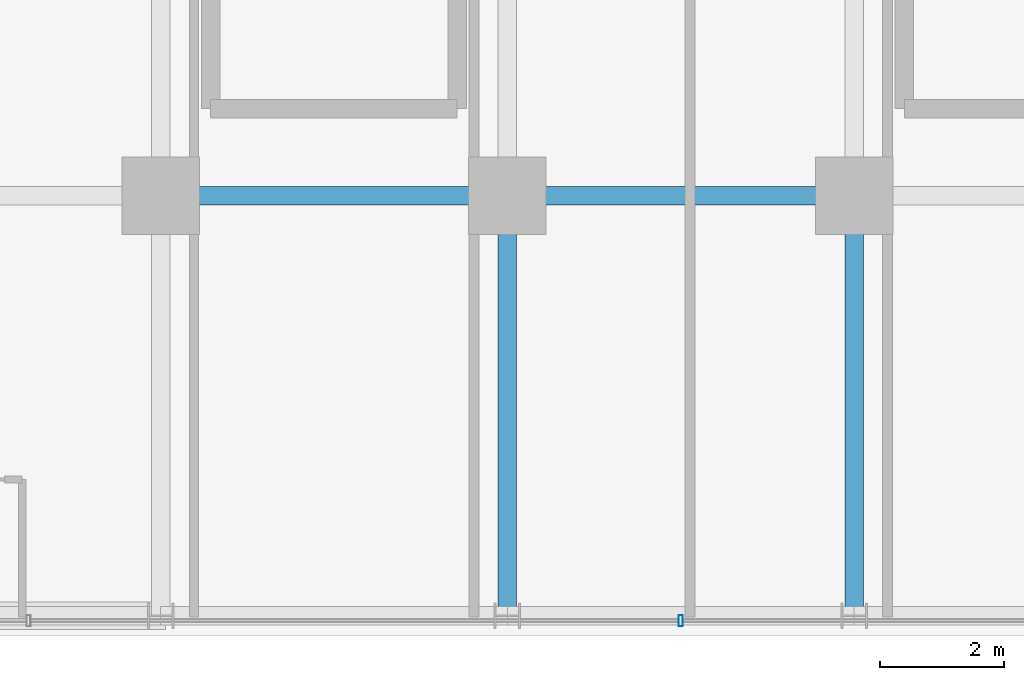
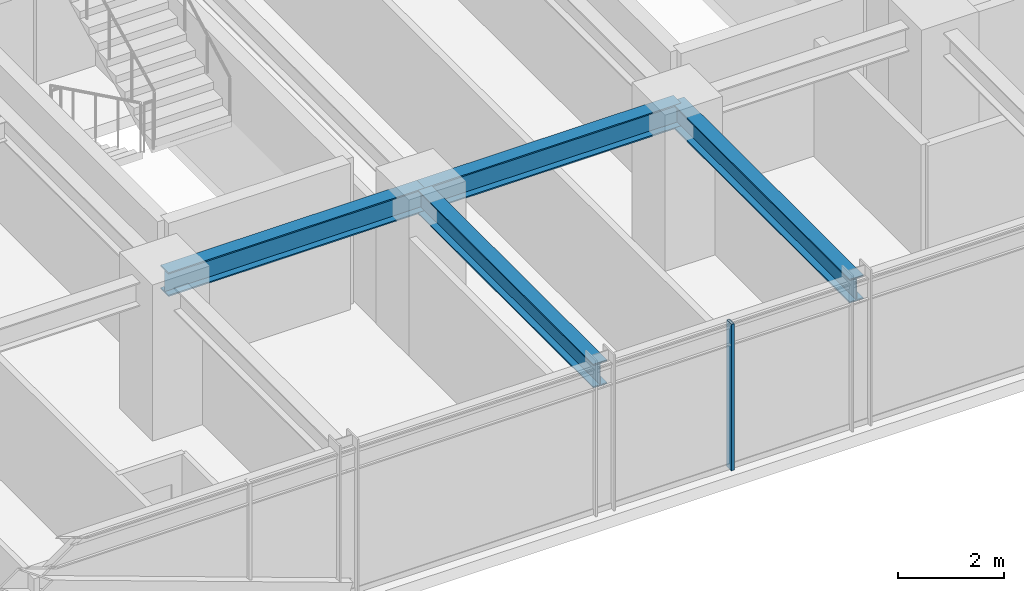
# One storey, part 6 of 41: 4 beams, 1 member, 1 element without a shape of its own.
"""IFC4 building model written with IfcOpenShell, lengths in metres."""

from ifc_helpers import new_model, si_unit, direction, frame, origin, origin_2d, place, context, subcontext, project, spatial, hollow_rectangle, i_section, extrude, source, transform, mapped, material, material_profile, profile_set, type_object, element, aggregate, save


model = new_model("IFC4")

# Units and contexts
model_context = context("Model", 3, precision=1e-05, world=origin(), true_north=direction((0.0, 1.0)))
body_context = subcontext(model_context, "Body", "Model", "MODEL_VIEW")
ifc_project = project(units=[si_unit("LENGTHUNIT", "METRE"), si_unit("AREAUNIT", "SQUARE_METRE"), si_unit("VOLUMEUNIT", "CUBIC_METRE"), si_unit("PLANEANGLEUNIT", "RADIAN"), si_unit("MASSUNIT", "GRAM", prefix="KILO")], contexts=[model_context])

# Site, building, storey
site_placement = place(None, origin())
site = spatial("IfcSite", under=ifc_project, at=site_placement, CompositionType="ELEMENT")
building_placement = place(site_placement, origin())
building = spatial("IfcBuilding", under=site, at=building_placement, Name="Nahalor Promenade Grand Hotel", CompositionType="ELEMENT")
storey_placement = place(building_placement, frame((0.0, 0.0, 113.85009765625)))
storey = spatial("IfcBuildingStorey", under=building, at=storey_placement, Name="L28", CompositionType="ELEMENT", Elevation=113.85009765625)

# Beams
ifc_material_1 = material(Name="Steel S355JR", Category="steel")
ifc_material_profile_1 = material_profile(ifc_material_1, i_section(OverallWidth=0.3, OverallDepth=0.55, WebThickness=0.015, FlangeThickness=0.029, at=origin_2d()), Name="HEB 550")
ifc_profile_set_1 = profile_set([ifc_material_profile_1], Name="Steel S355JR")
beam_type = type_object("IfcBeamType", Name="Beam-Girder-HEB550", PredefinedType="BEAM", material=ifc_profile_set_1)
shared_shape_1 = source(origin(), body_context, "Body", "SweptSolid", [
    extrude(i_section(OverallWidth=0.3, OverallDepth=0.55, WebThickness=0.015, FlangeThickness=0.029, at=origin_2d()), origin(), (0.0, 0.0, 1.0), 6.780029296875),
])
for number, where, z_axis, x_axis, name in (
    (1, (-2.800048828125, -23.780029296875, 3.10498046875), (0.0, 1.0, 0.0), (-1.0, 0.0, 0.0), "BM-L28-GY-2-0"),
    (2, (2.800048828125, -23.780029296875, 3.10498046875), (0.0, 1.0, 0.0), (-1.0, 0.0, 0.0), "BM-L28-GY-3-0"),
):
    element("IfcBeam", number, at=place(storey_placement, frame(where, z_axis=z_axis, x_axis=x_axis)), inside=storey, type_object=beam_type, Name=name, PredefinedType="BEAM", context=body_context, shape_type="MappedRepresentation", body=[
        mapped(shared_shape_1, transform((0.0, 0.0, 0.0), scale=1.0)),
    ])
shared_shape_2 = source(origin(), body_context, "Body", "SweptSolid", [
    extrude(i_section(OverallWidth=0.3, OverallDepth=0.55, WebThickness=0.015, FlangeThickness=0.029, at=origin_2d()), origin(), (0.0, 0.0, 1.0), 5.599853515625),
])
beam_1_placement = place(storey_placement, frame((-8.39990234375, -17.0, 3.10498046875), z_axis=(1.0, 0.0, 0.0), x_axis=(0.0, 1.0, 0.0)))
element("IfcBeam", 3, at=beam_1_placement, inside=storey, type_object=beam_type, Name="BM-L28-GX-0-2", PredefinedType="BEAM", context=body_context, shape_type="MappedRepresentation", body=[
    mapped(shared_shape_2, transform((0.0, 0.0, 0.0), scale=1.0)),
])
shared_shape_3 = source(origin(), body_context, "Body", "SweptSolid", [
    extrude(i_section(OverallWidth=0.3, OverallDepth=0.55, WebThickness=0.015, FlangeThickness=0.029, at=origin_2d()), origin(), (0.0, 0.0, 1.0), 5.60009765625),
])
beam_2_placement = place(storey_placement, frame((-2.800048828125, -17.0, 3.10498046875), z_axis=(1.0, 0.0, 0.0), x_axis=(0.0, 1.0, 0.0)))
element("IfcBeam", 4, at=beam_2_placement, inside=storey, type_object=beam_type, Name="BM-L28-GX-0-3", PredefinedType="BEAM", context=body_context, shape_type="MappedRepresentation", body=[
    mapped(shared_shape_3, transform((0.0, 0.0, 0.0), scale=1.0)),
])

# Curtain wall, member
ifc_material_2 = material(Name="Anodised Bronze Aluminium EN AW-6063 T6", Category="aluminium")
curtain_wall_type = type_object("IfcCurtainWallType", Name="CW2 Typical Hotel Flush Bronze Unitised Curtain Wall", PredefinedType="USERDEFINED", material=ifc_material_2)
curtain_wall_placement = place(storey_placement, origin())
curtain_wall = element("IfcCurtainWall", 5, at=curtain_wall_placement, inside=storey, type_object=curtain_wall_type, Name="L28 Curtain Wall CW-L28-S-1", ObjectType="UNITISED_CURTAIN_WALL", PredefinedType="USERDEFINED")
ifc_material_profile_2 = material_profile(ifc_material_2, hollow_rectangle(XDim=0.065, YDim=0.18, WallThickness=0.004, at=origin_2d()), Name="CWM 65x180x4")
ifc_profile_set_2 = profile_set([ifc_material_profile_2], Name="Anodised Bronze Aluminium EN AW-6063 T6")
member_type = type_object("IfcMemberType", Name="CWM2 Typical Bronze Mullion 65x180", PredefinedType="MULLION", material=ifc_profile_set_2)
shared_shape_4 = source(origin(), body_context, "Body", "SweptSolid", [
    extrude(hollow_rectangle(XDim=0.065, YDim=0.18, WallThickness=0.004, at=origin_2d()), origin(), (0.0, 0.0, 1.0), 3.3798828125),
])
member_placement = place(storey_placement, frame((0.0, -23.860107421875, 0.0), z_axis=(0.0, 0.0, 1.0), x_axis=(1.0, 0.0, 0.0)))
member = element("IfcMember", 6, at=member_placement, type_object=member_type, Name="CW-L28-S-1 Mullion 2", PredefinedType="MULLION", context=body_context, shape_type="MappedRepresentation", body=[
    mapped(shared_shape_4, transform((0.0, 0.0, 0.0), scale=1.0)),
])
aggregate(curtain_wall, [member])

save(model, "model.ifc")
